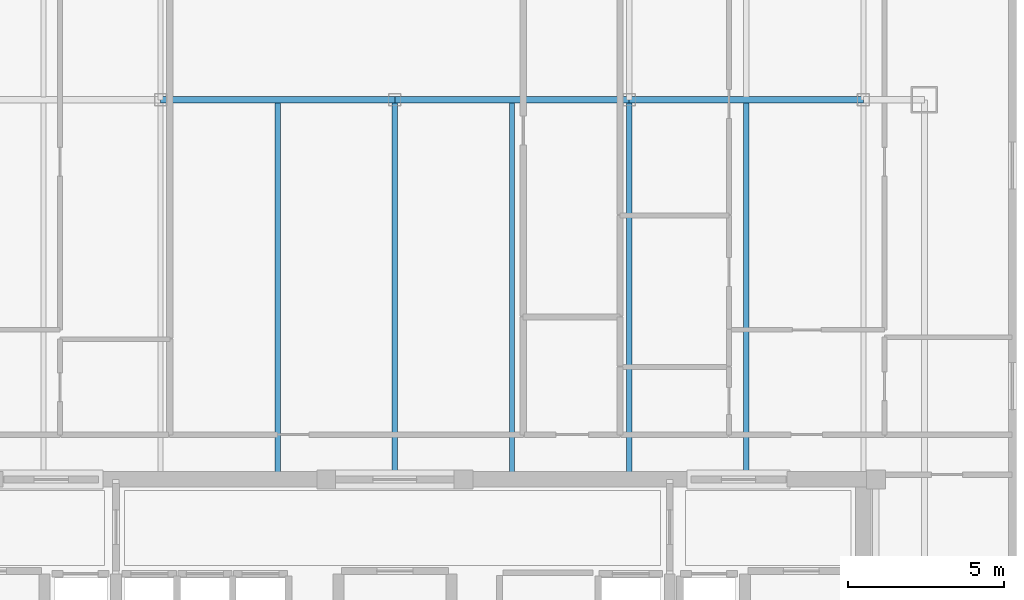
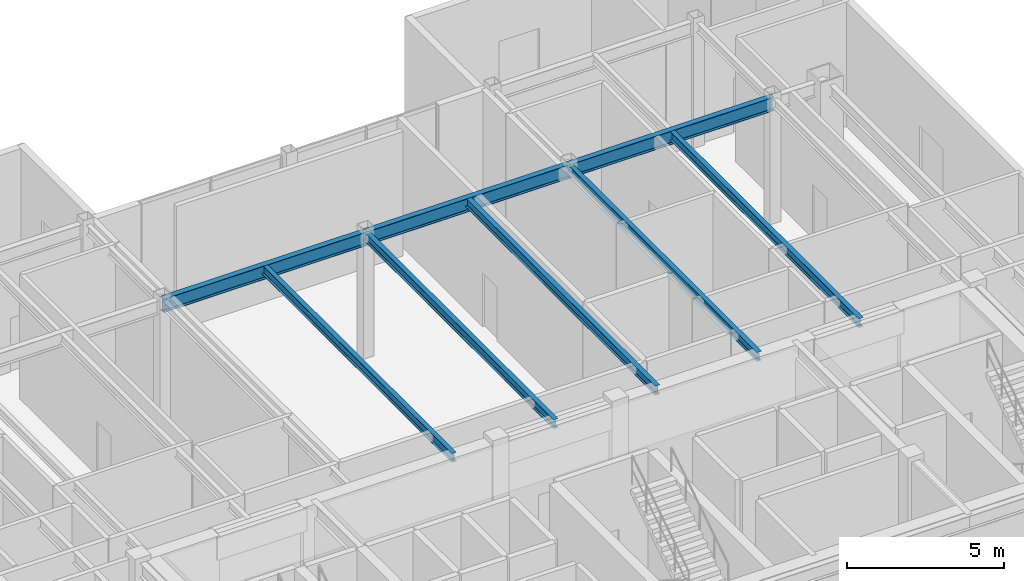
# One storey, part 3 of 11: 8 beams.
"""IFC4 building model written with IfcOpenShell, lengths in metres."""

from ifc_helpers import new_model, si_unit, direction, frame, origin, origin_2d, place, context, subcontext, project, spatial, i_section, extrude, material, material_profile, profile_set, type_object, element, save


model = new_model("IFC4")

# Units and contexts
model_context = context("Model", 3, precision=1e-05, world=origin(), true_north=direction((0.0, 1.0)))
body_context = subcontext(model_context, "Body", "Model", "MODEL_VIEW")
ifc_project = project(units=[si_unit("LENGTHUNIT", "METRE"), si_unit("AREAUNIT", "SQUARE_METRE"), si_unit("VOLUMEUNIT", "CUBIC_METRE"), si_unit("PLANEANGLEUNIT", "RADIAN"), si_unit("MASSUNIT", "GRAM", prefix="KILO")], contexts=[model_context])

# Site, building, storey
site_placement = place(None, origin())
site = spatial("IfcSite", under=ifc_project, at=site_placement, CompositionType="ELEMENT")
building_placement = place(site_placement, origin())
building = spatial("IfcBuilding", under=site, at=building_placement, Name="Ventersveld Concourse Tower", CompositionType="ELEMENT")
storey_placement = place(building_placement, frame((0.0, 0.0, 308.0)))
storey = spatial("IfcBuildingStorey", under=building, at=storey_placement, Name="L76", CompositionType="ELEMENT", Elevation=308.0)

# Beams
ifc_material = material(Name="Structural steel S355J2", Category="steel")
ifc_material_profile_1 = material_profile(ifc_material, i_section(OverallWidth=0.17138671875, OverallDepth=0.35498046875, WebThickness=0.00732421875, FlangeThickness=0.011474609375, FilletRadius=0.01025390625, at=origin_2d()), Name="UB 356x171x51")
ifc_profile_set_1 = profile_set([ifc_material_profile_1], Name="Structural steel S355J2")
beam_type_1 = type_object("IfcBeamType", Name="BM-UB356", PredefinedType="BEAM", material=ifc_profile_set_1)
for number, where, z_axis, x_axis, name in (
    (1, (25.0, 11.449951171875, 4.672607421875), (0.0, 1.0, 0.0), (-1.0, 0.0, 0.0), "L76 N-S Composite Floor Beam South X=25.00"),
    (2, (28.75, 11.449951171875, 4.672607421875), (0.0, 1.0, 0.0), (-1.0, 0.0, 0.0), "L76 N-S Composite Floor Beam South X=28.75"),
    (3, (32.5, 11.449951171875, 4.672607421875), (0.0, 1.0, 0.0), (-1.0, 0.0, 0.0), "L76 N-S Composite Floor Beam South X=32.50"),
    (4, (36.25, 11.449951171875, 4.672607421875), (0.0, 1.0, 0.0), (-1.0, 0.0, 0.0), "L76 N-S Composite Floor Beam South X=36.25"),
):
    element("IfcBeam", number, at=place(storey_placement, frame(where, z_axis=z_axis, x_axis=x_axis)), inside=storey, type_object=beam_type_1, Name=name, PredefinedType="BEAM", context=body_context, shape_type="SweptSolid", body=[
        extrude(i_section(OverallWidth=0.17138671875, OverallDepth=0.35498046875, WebThickness=0.00732421875, FlangeThickness=0.011474609375, FilletRadius=0.01025390625, at=origin_2d()), origin(), (0.0, 0.0, 1.0), 12.150146484375),
    ])
beam_placement = place(storey_placement, frame((40.0, 11.449951171875, 4.672607421875), z_axis=(0.0, 1.0, 0.0), x_axis=(-1.0, 0.0, 0.0)))
element("IfcBeam", 5, at=beam_placement, inside=storey, type_object=beam_type_1, Name="L76 N-S Composite Floor Beam South X=40.00", PredefinedType="BEAM", context=body_context, shape_type="SweptSolid", body=[
    extrude(i_section(OverallWidth=0.17138671875, OverallDepth=0.35498046875, WebThickness=0.00732421875, FlangeThickness=0.011474609375, FilletRadius=0.01025390625, at=origin_2d()), origin(), (0.0, 0.0, 1.0), 12.054931640625),
])
ifc_material_profile_2 = material_profile(ifc_material, i_section(OverallWidth=0.209228515625, OverallDepth=0.533203125, WebThickness=0.010009765625, FlangeThickness=0.015625, FilletRadius=0.0126953125, at=origin_2d()), Name="UB 533x210x92")
ifc_profile_set_2 = profile_set([ifc_material_profile_2], Name="Structural steel S355J2")
beam_type_2 = type_object("IfcBeamType", Name="GRD-UB533", PredefinedType="T_BEAM", material=ifc_profile_set_2)
for number, where, z_axis, x_axis, name in (
    (6, (21.25, 23.60009765625, 4.58349609375), (1.0, 0.0, 0.0), (0.0, 1.0, 0.0), "L76 Primary E-W Grid Girder Y=23.60 #3"),
    (7, (28.75, 23.60009765625, 4.58349609375), (1.0, 0.0, 0.0), (0.0, 1.0, 0.0), "L76 Primary E-W Grid Girder Y=23.60 #4"),
    (8, (36.25, 23.60009765625, 4.58349609375), (1.0, 0.0, 0.0), (0.0, 1.0, 0.0), "L76 Primary E-W Grid Girder Y=23.60 #5"),
):
    element("IfcBeam", number, at=place(storey_placement, frame(where, z_axis=z_axis, x_axis=x_axis)), inside=storey, type_object=beam_type_2, Name=name, PredefinedType="T_BEAM", context=body_context, shape_type="SweptSolid", body=[
        extrude(i_section(OverallWidth=0.209228515625, OverallDepth=0.533203125, WebThickness=0.010009765625, FlangeThickness=0.015625, FilletRadius=0.0126953125, at=origin_2d()), origin(), (0.0, 0.0, 1.0), 7.5),
    ])

save(model, "model.ifc")
